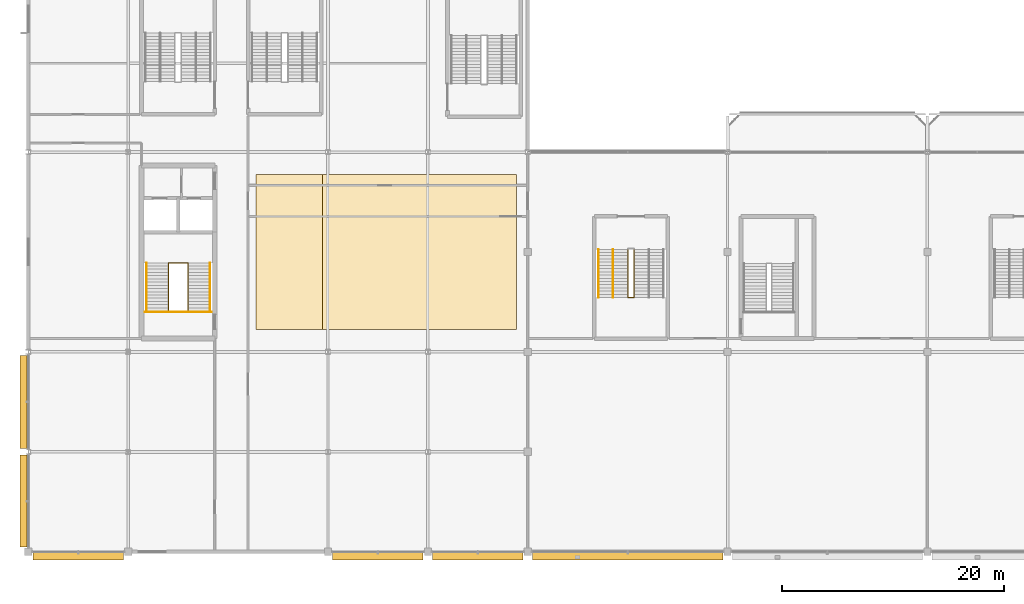
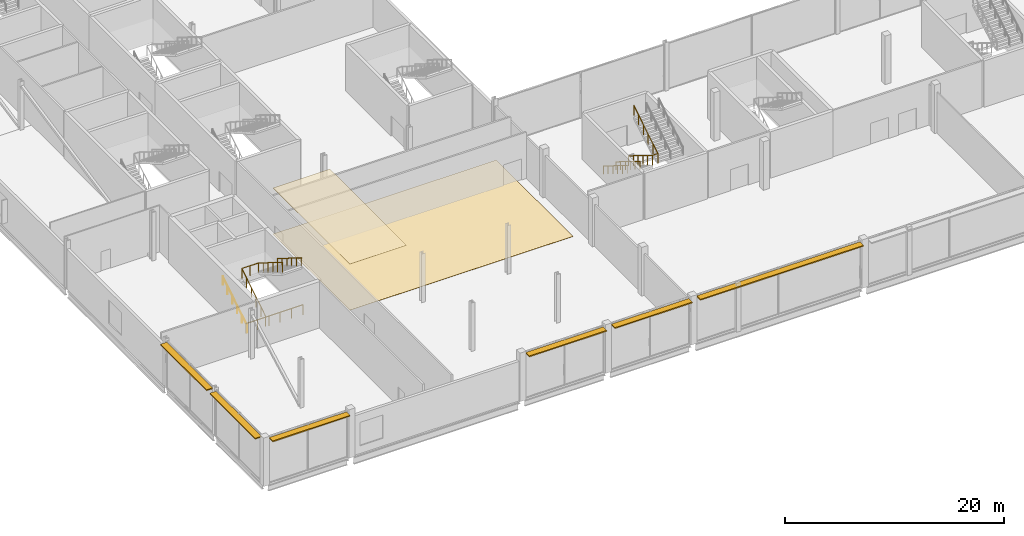
# One storey, part 95 of 113: 7 railings, 6 shading devices, 2 coverings.
"""IFC4 building model written with IfcOpenShell, lengths in metres."""

from ifc_helpers import new_model, si_unit, direction, frame, origin, origin_2d, place, context, subcontext, project, spatial, polyline, rectangle, circle, outline, extrude, material, layer, layer_set, type_object, element, save


model = new_model("IFC4")

# Units and contexts
model_context = context("Model", 3, precision=1e-05, world=origin(), true_north=direction((0.0, 1.0)))
body_context = subcontext(model_context, "Body", "Model", "MODEL_VIEW")
ifc_project = project(units=[si_unit("LENGTHUNIT", "METRE"), si_unit("AREAUNIT", "SQUARE_METRE"), si_unit("VOLUMEUNIT", "CUBIC_METRE"), si_unit("PLANEANGLEUNIT", "RADIAN"), si_unit("MASSUNIT", "GRAM", prefix="KILO")], contexts=[model_context])

# Site, building, storey
site_placement = place(None, origin())
site = spatial("IfcSite", under=ifc_project, at=site_placement, CompositionType="ELEMENT")
building_placement = place(site_placement, origin())
building = spatial("IfcBuilding", under=site, at=building_placement, Name="Kisiwana Market Hall", CompositionType="ELEMENT")
storey_placement = place(building_placement, frame((0.0, 0.0, 6.0)))
storey = spatial("IfcBuildingStorey", under=building, at=storey_placement, Name="L01", CompositionType="ELEMENT", Elevation=6.0)

# Coverings
ifc_material_1 = material(Name="Mineral-fibre acoustic ceiling board")
ifc_layer_1 = layer(ifc_material_1, 0.02490234375)
ifc_layer_set_1 = layer_set([ifc_layer_1], Name="COV-CEIL-AC")
covering_type_1 = type_object("IfcCoveringType", Name="COV-CEIL-AC", PredefinedType="CEILING", material=ifc_layer_set_1)
covering_1_placement = place(storey_placement, frame((0.0, 0.0, 5.125)))
element("IfcCovering", 1, at=covering_1_placement, inside=storey, type_object=covering_type_1, Name="Acoustic ceiling grid L01-008", PredefinedType="CEILING", context=body_context, shape_type="SweptSolid", body=[
    extrude(outline(polyline([(20.5, 20.0), (26.5, 20.0), (26.5, 34.0), (20.5, 34.0), (20.5, 20.0)])), origin(), (0.0, 0.0, 1.0), 0.02490234375),
])
ifc_material_2 = material(Name="Polished washable terrazzo tile")
ifc_layer_2 = layer(ifc_material_2, 0.02001953125)
ifc_layer_set_2 = layer_set([ifc_layer_2], Name="COV-FLOOR-EPOXY")
covering_type_2 = type_object("IfcCoveringType", Name="COV-FLOOR-EPOXY", PredefinedType="FLOORING", material=ifc_layer_set_2)
covering_2_placement = place(storey_placement, origin())
element("IfcCovering", 2, at=covering_2_placement, inside=storey, type_object=covering_type_2, Name="Washable terrazzo floor finish L01-010", PredefinedType="FLOORING", context=body_context, shape_type="SweptSolid", body=[
    extrude(outline(polyline([(20.5, 20.0), (44.0, 20.0), (44.0, 34.0), (20.5, 34.0), (20.5, 20.0)])), origin(), (0.0, 0.0, 1.0), 0.02001953125),
])

# Railings
ifc_material_3 = material(Name="Steel S275", Category="steel")
railing_type_1 = type_object("IfcRailingType", Name="RL-GUARD-1100", PredefinedType="GUARDRAIL", material=ifc_material_3)
railing_1_placement = place(storey_placement, frame((12.625, 21.674560546875, 0.0)))
element("IfcRailing", 3, at=railing_1_placement, inside=storey, type_object=railing_type_1, Name="Stair ST-W2-L01 inner-well guardrail (RL-311)", PredefinedType="GUARDRAIL", context=body_context, shape_type="SweptSolid", body=[
    extrude(circle(Radius=0.02392578125, at=origin_2d()), frame((0.0, 0.0, 1.076171875), z_axis=(0.0, 0.849636482215, 0.527368797038), x_axis=(-1.0, 0.0, 0.0)), (0.0, 0.0, 1.0), 5.11962890625),
    extrude(circle(Radius=0.02392578125, at=origin_2d()), frame((0.0, 4.349853515625, 3.77587890625), z_axis=(1.0, 0.0, 0.0), x_axis=(0.0, 1.0, 0.0)), (0.0, 0.0, 1.0), 1.75),
    extrude(circle(Radius=0.02392578125, at=origin_2d()), frame((1.75, 4.349853515625, 3.77587890625), z_axis=(0.0, -0.849636482215, 0.527368797038), x_axis=(1.0, 0.0, 0.0)), (0.0, 0.0, 1.0), 5.11962890625),
    extrude(circle(Radius=0.02099609375, at=origin_2d()), origin(), (0.0, 0.0, 1.0), 1.052001953125),
    extrude(circle(Radius=0.02099609375, at=origin_2d()), frame((0.0, 0.869873046875, 0.5400390625)), (0.0, 0.0, 1.0), 1.052001953125),
    extrude(circle(Radius=0.02099609375, at=origin_2d()), frame((0.0, 1.739990234375, 1.080078125)), (0.0, 0.0, 1.0), 1.052001953125),
    extrude(circle(Radius=0.02099609375, at=origin_2d()), frame((0.0, 2.60986328125, 1.619873046875)), (0.0, 0.0, 1.0), 1.052001953125),
    extrude(circle(Radius=0.02099609375, at=origin_2d()), frame((0.0, 3.47998046875, 2.159912109375)), (0.0, 0.0, 1.0), 1.052001953125),
    extrude(circle(Radius=0.02099609375, at=origin_2d()), frame((0.0, 4.349853515625, 2.699951171875)), (0.0, 0.0, 1.0), 1.052001953125),
    extrude(circle(Radius=0.02099609375, at=origin_2d()), frame((0.875, 4.349853515625, 2.699951171875)), (0.0, 0.0, 1.0), 1.052001953125),
    extrude(circle(Radius=0.02099609375, at=origin_2d()), frame((1.75, 4.349853515625, 2.699951171875)), (0.0, 0.0, 1.0), 1.052001953125),
    extrude(circle(Radius=0.02099609375, at=origin_2d()), frame((1.75, 3.47998046875, 3.239990234375)), (0.0, 0.0, 1.0), 1.052001953125),
    extrude(circle(Radius=0.02099609375, at=origin_2d()), frame((1.75, 2.60986328125, 3.780029296875)), (0.0, 0.0, 1.0), 1.052001953125),
    extrude(circle(Radius=0.02099609375, at=origin_2d()), frame((1.75, 1.739990234375, 4.31982421875)), (0.0, 0.0, 1.0), 1.052001953125),
    extrude(circle(Radius=0.02099609375, at=origin_2d()), frame((1.75, 0.869873046875, 4.85986328125)), (0.0, 0.0, 1.0), 1.052001953125),
    extrude(circle(Radius=0.02099609375, at=origin_2d()), frame((1.75, 0.0, 5.39990234375)), (0.0, 0.0, 1.0), 1.052001953125),
])
railing_2_placement = place(storey_placement, frame((10.5048828125, 21.594482421875, 0.0)))
element("IfcRailing", 4, at=railing_2_placement, inside=storey, type_object=railing_type_1, Name="Stair ST-W2-L01 landing edge guardrail (RL-314)", PredefinedType="GUARDRAIL", context=body_context, shape_type="SweptSolid", body=[
    extrude(circle(Radius=0.02392578125, at=origin_2d()), frame((0.0, 0.0, 1.076171875), z_axis=(1.0, 0.0, 0.0), x_axis=(0.0, 1.0, 0.0)), (0.0, 0.0, 1.0), 5.990234375),
    extrude(circle(Radius=0.02099609375, at=origin_2d()), origin(), (0.0, 0.0, 1.0), 1.052001953125),
    extrude(circle(Radius=0.02099609375, at=origin_2d()), frame((1.197998046875, 0.0, 0.0)), (0.0, 0.0, 1.0), 1.052001953125),
    extrude(circle(Radius=0.02099609375, at=origin_2d()), frame((2.39599609375, 0.0, 0.0)), (0.0, 0.0, 1.0), 1.052001953125),
    extrude(circle(Radius=0.02099609375, at=origin_2d()), frame((3.59423828125, 0.0, 0.0)), (0.0, 0.0, 1.0), 1.052001953125),
    extrude(circle(Radius=0.02099609375, at=origin_2d()), frame((4.792236328125, 0.0, 0.0)), (0.0, 0.0, 1.0), 1.052001953125),
    extrude(circle(Radius=0.02099609375, at=origin_2d()), frame((5.990234375, 0.0, 0.0)), (0.0, 0.0, 1.0), 1.052001953125),
])
railing_3_placement = place(storey_placement, frame((54.02001953125, 27.239990234375, 0.0)))
element("IfcRailing", 5, at=railing_3_placement, inside=storey, type_object=railing_type_1, Name="Stair ST-S3-L01 inner-well guardrail (RL-427)", PredefinedType="GUARDRAIL", context=body_context, shape_type="SweptSolid", body=[
    extrude(circle(Radius=0.02392578125, at=origin_2d()), frame((0.0, 0.0, 1.076171875), z_axis=(0.0, -0.849649743971, 0.527347430608), x_axis=(1.0, 0.0, 0.0)), (0.0, 0.0, 1.0), 5.119873046875),
    extrude(circle(Radius=0.02392578125, at=origin_2d()), frame((0.0, -4.35009765625, 3.77587890625), z_axis=(1.0, 0.0, 0.0), x_axis=(0.0, 1.0, 0.0)), (0.0, 0.0, 1.0), 0.56005859375),
    extrude(circle(Radius=0.02392578125, at=origin_2d()), frame((0.56005859375, -4.35009765625, 3.77587890625), z_axis=(0.0, 0.849649743971, 0.527347430608), x_axis=(-1.0, 0.0, 0.0)), (0.0, 0.0, 1.0), 5.119873046875),
    extrude(circle(Radius=0.02099609375, at=origin_2d()), origin(), (0.0, 0.0, 1.0), 1.052001953125),
    extrude(circle(Radius=0.02099609375, at=origin_2d()), frame((0.0, -0.8701171875, 0.5400390625)), (0.0, 0.0, 1.0), 1.052001953125),
    extrude(circle(Radius=0.02099609375, at=origin_2d()), frame((0.0, -1.739990234375, 1.080078125)), (0.0, 0.0, 1.0), 1.052001953125),
    extrude(circle(Radius=0.02099609375, at=origin_2d()), frame((0.0, -2.610107421875, 1.619873046875)), (0.0, 0.0, 1.0), 1.052001953125),
    extrude(circle(Radius=0.02099609375, at=origin_2d()), frame((0.0, -3.47998046875, 2.159912109375)), (0.0, 0.0, 1.0), 1.052001953125),
    extrude(circle(Radius=0.02099609375, at=origin_2d()), frame((0.0, -4.35009765625, 2.699951171875)), (0.0, 0.0, 1.0), 1.052001953125),
    extrude(circle(Radius=0.02099609375, at=origin_2d()), frame((0.56005859375, -4.35009765625, 2.699951171875)), (0.0, 0.0, 1.0), 1.052001953125),
    extrude(circle(Radius=0.02099609375, at=origin_2d()), frame((0.56005859375, -3.47998046875, 3.239990234375)), (0.0, 0.0, 1.0), 1.052001953125),
    extrude(circle(Radius=0.02099609375, at=origin_2d()), frame((0.56005859375, -2.610107421875, 3.780029296875)), (0.0, 0.0, 1.0), 1.052001953125),
    extrude(circle(Radius=0.02099609375, at=origin_2d()), frame((0.56005859375, -1.739990234375, 4.31982421875)), (0.0, 0.0, 1.0), 1.052001953125),
    extrude(circle(Radius=0.02099609375, at=origin_2d()), frame((0.56005859375, -0.8701171875, 4.85986328125)), (0.0, 0.0, 1.0), 1.052001953125),
    extrude(circle(Radius=0.02099609375, at=origin_2d()), frame((0.56005859375, 0.0, 5.39990234375)), (0.0, 0.0, 1.0), 1.052001953125),
])
ifc_material_4 = material(Name="Steel S275", Category="steel")
railing_type_2 = type_object("IfcRailingType", Name="RL-HAND-900", PredefinedType="HANDRAIL", material=ifc_material_4)
railing_4_placement = place(storey_placement, frame((10.635009765625, 21.674560546875, 0.0)))
element("IfcRailing", 6, at=railing_4_placement, inside=storey, type_object=railing_type_2, Name="Stair ST-W2-L01 flight 1 handrail (RL-312)", PredefinedType="HANDRAIL", context=body_context, shape_type="SweptSolid", body=[
    extrude(circle(Radius=0.02392578125, at=origin_2d()), frame((0.0, 0.0, 0.8759765625), z_axis=(0.0, 0.849636482215, 0.527368797038), x_axis=(-1.0, 0.0, 0.0)), (0.0, 0.0, 1.0), 5.11962890625),
    extrude(circle(Radius=0.02099609375, at=origin_2d()), origin(), (0.0, 0.0, 1.0), 0.851806640625),
    extrude(circle(Radius=0.02099609375, at=origin_2d()), frame((0.0, 0.869873046875, 0.5400390625)), (0.0, 0.0, 1.0), 0.851806640625),
    extrude(circle(Radius=0.02099609375, at=origin_2d()), frame((0.0, 1.739990234375, 1.080078125)), (0.0, 0.0, 1.0), 0.851806640625),
    extrude(circle(Radius=0.02099609375, at=origin_2d()), frame((0.0, 2.60986328125, 1.619873046875)), (0.0, 0.0, 1.0), 0.851806640625),
    extrude(circle(Radius=0.02099609375, at=origin_2d()), frame((0.0, 3.47998046875, 2.159912109375)), (0.0, 0.0, 1.0), 0.851806640625),
    extrude(circle(Radius=0.02099609375, at=origin_2d()), frame((0.0, 4.349853515625, 2.699951171875)), (0.0, 0.0, 1.0), 0.851806640625),
])
railing_5_placement = place(storey_placement, frame((16.364990234375, 26.0244140625, 2.699951171875)))
element("IfcRailing", 7, at=railing_5_placement, inside=storey, type_object=railing_type_2, Name="Stair ST-W2-L01 flight 2 handrail (RL-313)", PredefinedType="HANDRAIL", context=body_context, shape_type="SweptSolid", body=[
    extrude(circle(Radius=0.02392578125, at=origin_2d()), frame((0.0, 0.0, 0.8759765625), z_axis=(0.0, -0.849636482215, 0.527368797038), x_axis=(1.0, 0.0, 0.0)), (0.0, 0.0, 1.0), 5.11962890625),
    extrude(circle(Radius=0.02099609375, at=origin_2d()), origin(), (0.0, 0.0, 1.0), 0.851806640625),
    extrude(circle(Radius=0.02099609375, at=origin_2d()), frame((0.0, -0.869873046875, 0.5400390625)), (0.0, 0.0, 1.0), 0.851806640625),
    extrude(circle(Radius=0.02099609375, at=origin_2d()), frame((0.0, -1.739990234375, 1.080078125)), (0.0, 0.0, 1.0), 0.851806640625),
    extrude(circle(Radius=0.02099609375, at=origin_2d()), frame((0.0, -2.60986328125, 1.619873046875)), (0.0, 0.0, 1.0), 0.851806640625),
    extrude(circle(Radius=0.02099609375, at=origin_2d()), frame((0.0, -3.47998046875, 2.159912109375)), (0.0, 0.0, 1.0), 0.851806640625),
    extrude(circle(Radius=0.02099609375, at=origin_2d()), frame((0.0, -4.349853515625, 2.699951171875)), (0.0, 0.0, 1.0), 0.851806640625),
])
for number, where, name in (
    (8, (51.3701171875, 27.239990234375, 0.0), "Stair ST-S3-L01 flight 1 handrail (RL-428)"),
    (9, (52.68994140625, 27.239990234375, 0.0), "Stair ST-S3-L01 flight 1 intermediate handrail (RL-430)"),
):
    element("IfcRailing", number, at=place(storey_placement, frame(where)), inside=storey, type_object=railing_type_2, Name=name, PredefinedType="HANDRAIL", context=body_context, shape_type="SweptSolid", body=[
        extrude(circle(Radius=0.02392578125, at=origin_2d()), frame((0.0, 0.0, 0.8759765625), z_axis=(0.0, -0.849649743971, 0.527347430608), x_axis=(1.0, 0.0, 0.0)), (0.0, 0.0, 1.0), 5.119873046875),
        extrude(circle(Radius=0.02099609375, at=origin_2d()), origin(), (0.0, 0.0, 1.0), 0.851806640625),
        extrude(circle(Radius=0.02099609375, at=origin_2d()), frame((0.0, -0.8701171875, 0.5400390625)), (0.0, 0.0, 1.0), 0.851806640625),
        extrude(circle(Radius=0.02099609375, at=origin_2d()), frame((0.0, -1.739990234375, 1.080078125)), (0.0, 0.0, 1.0), 0.851806640625),
        extrude(circle(Radius=0.02099609375, at=origin_2d()), frame((0.0, -2.610107421875, 1.619873046875)), (0.0, 0.0, 1.0), 0.851806640625),
        extrude(circle(Radius=0.02099609375, at=origin_2d()), frame((0.0, -3.47998046875, 2.159912109375)), (0.0, 0.0, 1.0), 0.851806640625),
        extrude(circle(Radius=0.02099609375, at=origin_2d()), frame((0.0, -4.35009765625, 2.699951171875)), (0.0, 0.0, 1.0), 0.851806640625),
    ])

# Shading devices
ifc_material_5 = material(Name="Aluminium alloy 6063-T6", Category="aluminium")
shading_device_type = type_object("IfcShadingDeviceType", Name="SHD-JALOUSIE-H", PredefinedType="JALOUSIE", material=ifc_material_5)
for number, where, z_axis, x_axis, name in (
    (10, (4.5, -0.419921875, 4.969970703125), (0.0, 0.0, 1.0), (1.0, 0.0, 0.0), "Aluminium brise-soleil louvre SHD-008 SD-008"),
    (11, (31.5, -0.419921875, 4.969970703125), (0.0, 0.0, 1.0), (1.0, 0.0, 0.0), "Aluminium brise-soleil louvre SHD-009 SD-009"),
    (12, (40.5, -0.419921875, 4.969970703125), (0.0, 0.0, 1.0), (1.0, 0.0, 0.0), "Aluminium brise-soleil louvre SHD-010 SD-010"),
):
    element("IfcShadingDevice", number, at=place(storey_placement, frame(where, z_axis=z_axis, x_axis=x_axis)), inside=storey, type_object=shading_device_type, Name=name, PredefinedType="JALOUSIE", context=body_context, shape_type="SweptSolid", body=[
        extrude(rectangle(XDim=8.14990234375, YDim=0.64990234375, at=origin_2d()), origin(), (0.0, 0.0, 1.0), 0.1201171875),
    ])
shading_device_1_placement = place(storey_placement, frame((54.0, -0.419921875, 4.969970703125), z_axis=(0.0, 0.0, 1.0), x_axis=(1.0, 0.0, 0.0)))
element("IfcShadingDevice", 13, at=shading_device_1_placement, inside=storey, type_object=shading_device_type, Name="Aluminium brise-soleil louvre SHD-011 SD-011", PredefinedType="JALOUSIE", context=body_context, shape_type="SweptSolid", body=[
    extrude(rectangle(XDim=17.14990234375, YDim=0.64990234375, at=origin_2d()), origin(), (0.0, 0.0, 1.0), 0.1201171875),
])
shading_device_2_placement = place(storey_placement, frame((-0.419921875, 4.560791015625, 4.969970703125), z_axis=(0.0, 0.0, 1.0), x_axis=(0.0, 1.0, 0.0)))
element("IfcShadingDevice", 14, at=shading_device_2_placement, inside=storey, type_object=shading_device_type, Name="Aluminium brise-soleil louvre SHD-028 SD-028", PredefinedType="JALOUSIE", context=body_context, shape_type="SweptSolid", body=[
    extrude(rectangle(XDim=8.271728515625, YDim=0.64990234375, at=origin_2d()), origin(), (0.0, 0.0, 1.0), 0.1201171875),
])
shading_device_3_placement = place(storey_placement, frame((-0.419921875, 13.492919921875, 4.969970703125), z_axis=(0.0, 0.0, 1.0), x_axis=(0.0, 1.0, 0.0)))
element("IfcShadingDevice", 15, at=shading_device_3_placement, inside=storey, type_object=shading_device_type, Name="Aluminium brise-soleil louvre SHD-029 SD-029", PredefinedType="JALOUSIE", context=body_context, shape_type="SweptSolid", body=[
    extrude(rectangle(XDim=8.37939453125, YDim=0.64990234375, at=origin_2d()), origin(), (0.0, 0.0, 1.0), 0.1201171875),
])

save(model, "model.ifc")
